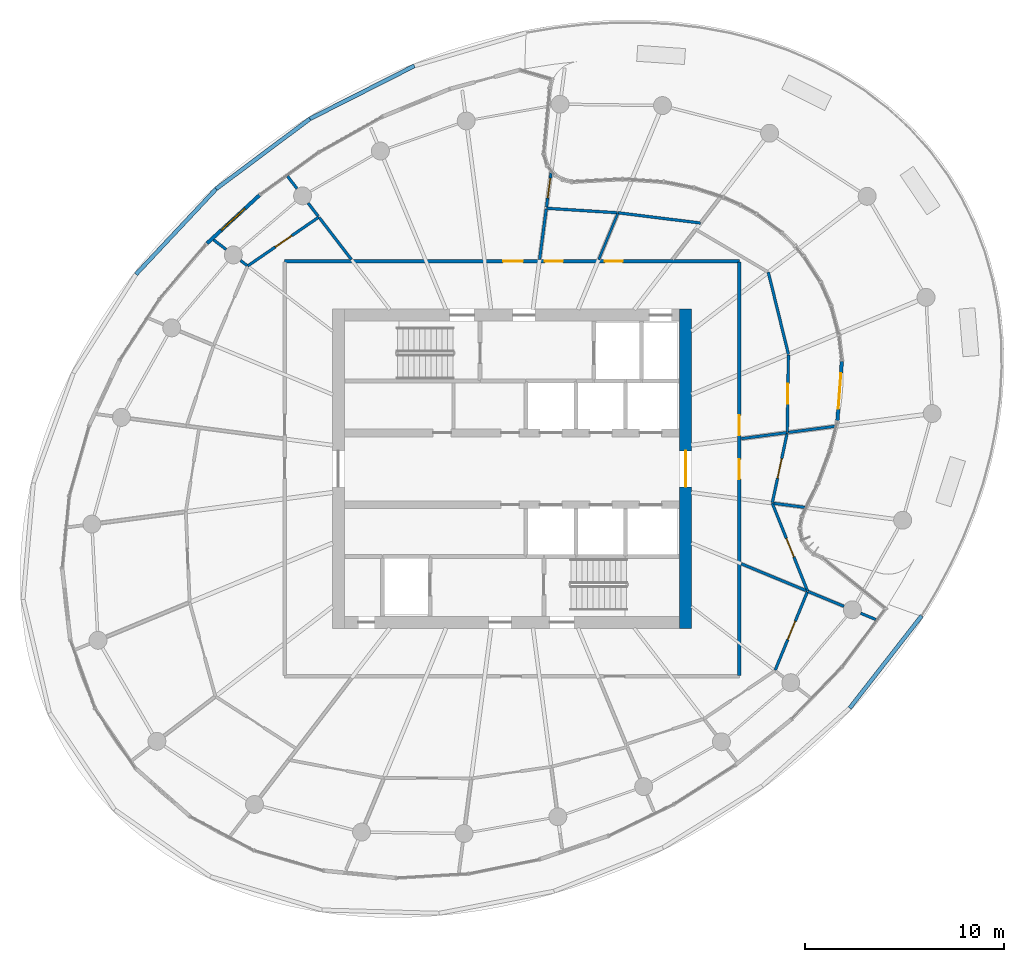
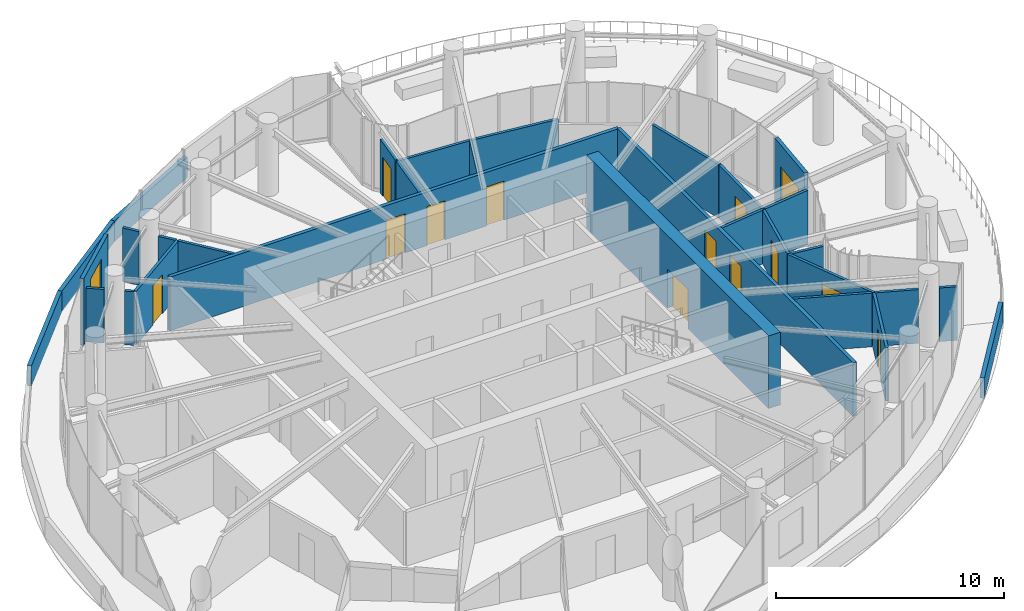
# One storey, part 14 of 19: 31 walls, 13 doors, 1 window, 14 openings.
"""IFC4 building model written with IfcOpenShell, lengths in metres."""

from ifc_helpers import new_model, si_unit, direction, frame, frame_2d, origin, place, context, subcontext, project, spatial, rectangle, extrude, source, transform, mapped, material, layer, layer_set, type_object, element, fill, save


model = new_model("IFC4")

# Units and contexts
model_context = context("Model", 3, precision=1e-05, world=origin(), true_north=direction((0.0, 1.0)))
body_context = subcontext(model_context, "Body", "Model", "MODEL_VIEW")
ifc_project = project(units=[si_unit("LENGTHUNIT", "METRE"), si_unit("AREAUNIT", "SQUARE_METRE"), si_unit("VOLUMEUNIT", "CUBIC_METRE"), si_unit("PLANEANGLEUNIT", "RADIAN"), si_unit("MASSUNIT", "GRAM", prefix="KILO")], contexts=[model_context])

# Site, building, storey
site_placement = place(None, origin())
site = spatial("IfcSite", under=ifc_project, at=site_placement, CompositionType="ELEMENT")
building_placement = place(site_placement, origin())
building = spatial("IfcBuilding", under=site, at=building_placement, Name="Spindrift Exchange Tower", CompositionType="ELEMENT")
storey_placement = place(building_placement, frame((0.0, 0.0, 183.800048828125)))
storey = spatial("IfcBuildingStorey", under=building, at=storey_placement, Name="L44", CompositionType="ELEMENT", Elevation=183.800048828125)

# Walls
ifc_material_1 = material(Name="Concrete 40 MPa", Category="concrete")
ifc_layer_1 = layer(ifc_material_1, 0.199951171875)
ifc_layer_set_1 = layer_set([ifc_layer_1], Name="LEDGE PARAPET 1100")
wall_type_1 = type_object("IfcWallType", Name="LEDGE PARAPET 1100", PredefinedType="PARAPET", material=ifc_layer_set_1)
wall_1_placement = place(storey_placement, frame((72.53369140625, 40.6318359375, 0.0), z_axis=(0.0, 0.0, 1.0), x_axis=(-0.615037489788, -0.788497866931, 0.0)))
element("IfcWall", 1, at=wall_1_placement, inside=storey, type_object=wall_type_1, Name="L44 Ledge Parapet 1", PredefinedType="PARAPET", context=body_context, shape_type="SweptSolid", body=[
    extrude(rectangle(XDim=5.86767578125, YDim=0.199951171875, at=frame_2d((2.933837890625, 0.0))), origin(), (0.0, 0.0, 1.0), 1.099853515625),
])
wall_2_placement = place(storey_placement, frame((33.151123046875, 57.752685546875, 0.0), z_axis=(0.0, 0.0, 1.0), x_axis=(0.684414246662, 0.729093367797, 0.0)))
element("IfcWall", 2, at=wall_2_placement, inside=storey, type_object=wall_type_1, Name="L44 Ledge Parapet 14", PredefinedType="PARAPET", context=body_context, shape_type="SweptSolid", body=[
    extrude(rectangle(XDim=5.86865234375, YDim=0.199951171875, at=frame_2d((2.934326171875, 0.0))), origin(), (0.0, 0.0, 1.0), 1.099853515625),
])
wall_3_placement = place(storey_placement, frame((37.167724609375, 62.031494140625, 0.0), z_axis=(0.0, 0.0, 1.0), x_axis=(0.80092247394, 0.598768060886, 0.0)))
element("IfcWall", 3, at=wall_3_placement, inside=storey, type_object=wall_type_1, Name="L44 Ledge Parapet 15", PredefinedType="PARAPET", context=body_context, shape_type="SweptSolid", body=[
    extrude(rectangle(XDim=5.869384765625, YDim=0.199951171875, at=frame_2d((2.9345703125, 0.0))), origin(), (0.0, 0.0, 1.0), 1.099853515625),
])
wall_4_placement = place(storey_placement, frame((41.86865234375, 65.5458984375, 0.0), z_axis=(0.0, 0.0, 1.0), x_axis=(0.89196778564, 0.452098959721, 0.0)))
element("IfcWall", 4, at=wall_4_placement, inside=storey, type_object=wall_type_1, Name="L44 Ledge Parapet 16", PredefinedType="PARAPET", context=body_context, shape_type="SweptSolid", body=[
    extrude(rectangle(XDim=5.868896484375, YDim=0.199951171875, at=frame_2d((2.9345703125, 0.0))), origin(), (0.0, 0.0, 1.0), 1.099853515625),
])

# Wall, opening, door
ifc_material_2 = material(Name="Concrete 50 MPa", Category="concrete")
ifc_layer_2 = layer(ifc_material_2, 0.60009765625)
ifc_layer_set_2 = layer_set([ifc_layer_2], Name="RC Core Wall 600 Concrete 50 MPa")
wall_type_2 = type_object("IfcWallType", Name="RC Core Wall 600 Concrete 50 MPa", PredefinedType="SHEAR", material=ifc_layer_set_2)
wall_5_placement = place(storey_placement, frame((60.699951171875, 40.0, 0.0), z_axis=(0.0, 0.0, 1.0), x_axis=(0.0, 1.0, 0.0)))
wall_5 = element("IfcWall", 5, at=wall_5_placement, inside=storey, type_object=wall_type_2, Name="Core wall E L44", PredefinedType="SHEAR", context=body_context, shape_type="SweptSolid", body=[
    extrude(rectangle(XDim=16.0, YDim=0.60009765625, at=frame_2d((8.0, 0.0))), origin(), (0.0, 0.0, 1.0), 3.89990234375),
])
opening_1_placement = place(wall_5_placement, frame((7.10009765625, 0.0, 0.0)))
opening_1 = element("IfcOpeningElement", 6, at=opening_1_placement, cuts=wall_5, Name="Opening L44-D2", PredefinedType="OPENING", context=body_context, shape_type="SweptSolid", body=[
    extrude(rectangle(XDim=1.800048828125, YDim=2.10009765625, at=frame_2d((0.89990234375, 1.050048828125))), frame((0.0, 0.31005859375, 0.0), z_axis=(0.0, -1.0, 0.0), x_axis=(1.0, 0.0, 0.0)), (0.0, 0.0, 1.0), 0.6201171875),
])
ifc_material_3 = material(Name="Timber-core fire door", Category="wood")
door_type_1 = type_object("IfcDoorType", Name="DR-LOBBY-1800", OperationType="NOTDEFINED", PredefinedType="DOOR", material=ifc_material_3)
shared_shape_1 = source(origin(), body_context, "Body", "SweptSolid", [
    extrude(rectangle(XDim=1.800048828125, YDim=2.10009765625, at=frame_2d((0.89990234375, 1.050048828125))), frame((0.0, 0.02490234375, 0.0), z_axis=(0.0, -1.0, 0.0), x_axis=(1.0, 0.0, 0.0)), (0.0, 0.0, 1.0), 0.050048828125),
])
door_1_placement = place(opening_1_placement, origin())
door_1 = element("IfcDoor", 7, at=door_1_placement, inside=storey, type_object=door_type_1, Name="L44 Lobby door 2", OperationType="SINGLE_SWING_RIGHT", OverallHeight=2.10009765625, OverallWidth=1.800048828125, PredefinedType="DOOR", context=body_context, shape_type="MappedRepresentation", body=[
    mapped(shared_shape_1, transform((0.0, 0.0, 0.0), scale=1.0)),
])
fill(opening_1, door_1)

# Wall, opening, window
ifc_material_4 = material(Name="Bronze anodised aluminium frame with fritted laminated glass spandrel", Category="aluminium")
ifc_layer_3 = layer(ifc_material_4, 0.179931640625)
ifc_layer_set_3 = layer_set([ifc_layer_3], Name="UNITISED FRAME WALL")
wall_type_3 = type_object("IfcWallType", Name="UNITISED FRAME WALL", PredefinedType="STANDARD", material=ifc_layer_set_3)
wall_6_placement = place(storey_placement, frame((39.343017578125, 61.72021484375, 0.0), z_axis=(0.0, 0.0, 1.0), x_axis=(-0.736559026804, -0.67637326975, 0.0)))
wall_6 = element("IfcWall", 8, at=wall_6_placement, inside=storey, type_object=wall_type_3, Name="L44 Frame Wall 5", PredefinedType="STANDARD", context=body_context, shape_type="SweptSolid", body=[
    extrude(rectangle(XDim=3.577880859375, YDim=0.179931640625, at=frame_2d((1.7890625, 0.0))), origin(), (0.0, 0.0, 1.0), 3.579833984375),
])
opening_2_placement = place(wall_6_placement, frame((0.989013671875, 0.0, 0.89990234375)))
opening_2 = element("IfcOpeningElement", 9, at=opening_2_placement, cuts=wall_6, Name="Opening WV44-02", PredefinedType="OPENING", context=body_context, shape_type="SweptSolid", body=[
    extrude(rectangle(XDim=1.60009765625, YDim=2.0, at=frame_2d((0.800048828125, 1.0))), frame((0.0, 0.099853515625, 0.0), z_axis=(0.0, -1.0, 0.0), x_axis=(1.0, 0.0, 0.0)), (0.0, 0.0, 1.0), 0.199951171875),
])
ifc_material_5 = material(Name="Clear laminated low-iron glass in bronze frame", Category="glass")
window_type = type_object("IfcWindowType", Name="OPERABLE CLEAR VENT 1600X2000", PartitioningType="SINGLE_PANEL", PredefinedType="WINDOW", material=ifc_material_5)
shared_shape_2 = source(origin(), body_context, "Body", "SweptSolid", [
    extrude(rectangle(XDim=1.60009765625, YDim=2.0, at=frame_2d((0.800048828125, 1.0))), frame((0.0, 0.030029296875, 0.0), z_axis=(0.0, -1.0, 0.0), x_axis=(1.0, 0.0, 0.0)), (0.0, 0.0, 1.0), 0.06005859375),
])
window_placement = place(opening_2_placement, origin())
window = element("IfcWindow", 10, at=window_placement, inside=storey, type_object=window_type, Name="L44 Operable Vent WV44-02", OverallHeight=2.0, OverallWidth=1.60009765625, PartitioningType="SINGLE_PANEL", PredefinedType="WINDOW", context=body_context, shape_type="MappedRepresentation", body=[
    mapped(shared_shape_2, transform((0.0, 0.0, 0.0), scale=1.0)),
])
fill(opening_2, window)

# Wall, opening, door
wall_7_placement = place(storey_placement, frame((68.310791015625, 50.41162109375, 0.0), z_axis=(0.0, 0.0, 1.0), x_axis=(0.074271967477, 0.997238023166, 0.0)))
wall_7 = element("IfcWall", 11, at=wall_7_placement, inside=storey, type_object=wall_type_3, Name="L44 Frame Wall 35", PredefinedType="STANDARD", context=body_context, shape_type="SweptSolid", body=[
    extrude(rectangle(XDim=2.988037109375, YDim=0.179931640625, at=frame_2d((1.494140625, 0.0))), origin(), (0.0, 0.0, 1.0), 3.579833984375),
])
opening_3_placement = place(wall_7_placement, frame((0.593994140625, 0.0, 0.0)))
opening_3 = element("IfcOpeningElement", 12, at=opening_3_placement, cuts=wall_7, Name="Opening ED44-1", PredefinedType="OPENING", context=body_context, shape_type="SweptSolid", body=[
    extrude(rectangle(XDim=1.800048828125, YDim=2.39990234375, at=frame_2d((0.89990234375, 1.199951171875))), frame((0.0, 0.099853515625, 0.0), z_axis=(0.0, -1.0, 0.0), x_axis=(1.0, 0.0, 0.0)), (0.0, 0.0, 1.0), 0.199951171875),
])
ifc_material_6 = material(Name="Toughened laminated glass in bronze frame", Category="glass")
door_type_2 = type_object("IfcDoorType", Name="TERRACE GLASS DOOR 1800X2400", OperationType="DOUBLE_DOOR_SINGLE_SWING", PredefinedType="DOOR", material=ifc_material_6)
shared_shape_3 = source(origin(), body_context, "Body", "SweptSolid", [
    extrude(rectangle(XDim=1.800048828125, YDim=2.39990234375, at=frame_2d((0.89990234375, 1.199951171875))), frame((0.0, 0.02490234375, 0.0), z_axis=(0.0, -1.0, 0.0), x_axis=(1.0, 0.0, 0.0)), (0.0, 0.0, 1.0), 0.050048828125),
])
door_2_placement = place(opening_3_placement, origin())
door_2 = element("IfcDoor", 13, at=door_2_placement, inside=storey, type_object=door_type_2, Name="L44 Terrace Glass Door ED44-1", OperationType="DOUBLE_DOOR_SINGLE_SWING", OverallHeight=2.39990234375, OverallWidth=1.800048828125, PredefinedType="DOOR", context=body_context, shape_type="MappedRepresentation", body=[
    mapped(shared_shape_3, transform((0.0, 0.0, 0.0), scale=1.0)),
])
fill(opening_3, door_2)

# Wall, openings, doors
ifc_material_7 = material(Name="Fire-rated plasterboard partition", Category="gypsum")
ifc_layer_4 = layer(ifc_material_7, 0.179931640625)
ifc_layer_set_4 = layer_set([ifc_layer_4], Name="W-CORR-180")
wall_type_4 = type_object("IfcWallType", Name="W-CORR-180", PredefinedType="PARTITIONING", material=ifc_layer_set_4)
wall_8_placement = place(storey_placement, frame((40.60009765625, 58.39990234375, 0.0), z_axis=(0.0, 0.0, 1.0), x_axis=(1.0, 0.0, 0.0)))
wall_8 = element("IfcWall", 14, at=wall_8_placement, inside=storey, type_object=wall_type_4, Name="L44 Partition wall 27", PredefinedType="PARTITIONING", context=body_context, shape_type="SweptSolid", body=[
    extrude(rectangle(XDim=22.7998046875, YDim=0.179931640625, at=frame_2d((11.39990234375, 0.0))), origin(), (0.0, 0.0, 1.0), 2.8798828125),
])
opening_4_placement = place(wall_8_placement, frame((16.050048828125, 0.0, 0.0)))
opening_4 = element("IfcOpeningElement", 15, at=opening_4_placement, cuts=wall_8, Name="Opening L44-D21", PredefinedType="OPENING", context=body_context, shape_type="SweptSolid", body=[
    extrude(rectangle(XDim=0.89990234375, YDim=2.10009765625, at=frame_2d((0.449951171875, 1.050048828125))), frame((0.0, 0.099853515625, 0.0), z_axis=(0.0, -1.0, 0.0), x_axis=(1.0, 0.0, 0.0)), (0.0, 0.0, 1.0), 0.199951171875),
])
opening_5_placement = place(wall_8_placement, frame((13.050048828125, 0.0, 0.0)))
opening_5 = element("IfcOpeningElement", 16, at=opening_5_placement, cuts=wall_8, Name="Opening L44-D22", PredefinedType="OPENING", context=body_context, shape_type="SweptSolid", body=[
    extrude(rectangle(XDim=0.89990234375, YDim=2.10009765625, at=frame_2d((0.449951171875, 1.050048828125))), frame((0.0, 0.099853515625, 0.0), z_axis=(0.0, -1.0, 0.0), x_axis=(1.0, 0.0, 0.0)), (0.0, 0.0, 1.0), 0.199951171875),
])
opening_6_placement = place(wall_8_placement, frame((10.949951171875, 0.0, 0.0)))
opening_6 = element("IfcOpeningElement", 17, at=opening_6_placement, cuts=wall_8, Name="Opening L44-D23", PredefinedType="OPENING", context=body_context, shape_type="SweptSolid", body=[
    extrude(rectangle(XDim=1.0, YDim=2.10009765625, at=frame_2d((0.5, 1.050048828125))), frame((0.0, 0.099853515625, 0.0), z_axis=(0.0, -1.0, 0.0), x_axis=(1.0, 0.0, 0.0)), (0.0, 0.0, 1.0), 0.199951171875),
])
door_type_3 = type_object("IfcDoorType", Name="DR-ROOM-1000", OperationType="NOTDEFINED", PredefinedType="DOOR", material=ifc_material_3)
shared_shape_4 = source(origin(), body_context, "Body", "SweptSolid", [
    extrude(rectangle(XDim=1.0, YDim=2.10009765625, at=frame_2d((0.5, 1.050048828125))), frame((0.0, 0.02490234375, 0.0), z_axis=(0.0, -1.0, 0.0), x_axis=(1.0, 0.0, 0.0)), (0.0, 0.0, 1.0), 0.050048828125),
])
door_3_placement = place(opening_6_placement, origin())
door_3 = element("IfcDoor", 18, at=door_3_placement, inside=storey, type_object=door_type_3, Name="L44 Door 23", OperationType="SINGLE_SWING_RIGHT", OverallHeight=2.10009765625, OverallWidth=1.0, PredefinedType="DOOR", context=body_context, shape_type="MappedRepresentation", body=[
    mapped(shared_shape_4, transform((0.0, 0.0, 0.0), scale=1.0)),
])
fill(opening_6, door_3)
ifc_material_8 = material(Name="Laminate washroom door", Category="wood")
door_type_4 = type_object("IfcDoorType", Name="DR-WC-900", OperationType="NOTDEFINED", PredefinedType="DOOR", material=ifc_material_8)
shared_shape_5 = source(origin(), body_context, "Body", "SweptSolid", [
    extrude(rectangle(XDim=0.89990234375, YDim=2.10009765625, at=frame_2d((0.449951171875, 1.050048828125))), frame((0.0, 0.02490234375, 0.0), z_axis=(0.0, -1.0, 0.0), x_axis=(1.0, 0.0, 0.0)), (0.0, 0.0, 1.0), 0.050048828125),
])
door_4_placement = place(opening_4_placement, origin())
door_4 = element("IfcDoor", 19, at=door_4_placement, inside=storey, type_object=door_type_4, Name="L44 WC door 21", OperationType="SINGLE_SWING_RIGHT", OverallHeight=2.10009765625, OverallWidth=0.89990234375, PredefinedType="DOOR", context=body_context, shape_type="MappedRepresentation", body=[
    mapped(shared_shape_5, transform((0.0, 0.0, 0.0), scale=1.0)),
])
fill(opening_4, door_4)
door_5_placement = place(opening_5_placement, origin())
door_5 = element("IfcDoor", 20, at=door_5_placement, inside=storey, type_object=door_type_4, Name="L44 WC door 22", OperationType="SINGLE_SWING_LEFT", OverallHeight=2.10009765625, OverallWidth=0.89990234375, PredefinedType="DOOR", context=body_context, shape_type="MappedRepresentation", body=[
    mapped(shared_shape_5, transform((0.0, 0.0, 0.0), scale=1.0)),
])
fill(opening_5, door_5)

wall_9_placement = place(storey_placement, frame((63.39990234375, 58.3701171875, 0.0), z_axis=(0.0, 0.0, 1.0), x_axis=(0.0, -1.0, 0.0)))
wall_9 = element("IfcWall", 21, at=wall_9_placement, inside=storey, type_object=wall_type_4, Name="L44 Partition wall 29", PredefinedType="PARTITIONING", context=body_context, shape_type="SweptSolid", body=[
    extrude(rectangle(XDim=20.740234375, YDim=0.179931640625, at=frame_2d((10.3701171875, 0.0))), origin(), (0.0, 0.0, 1.0), 2.8798828125),
])
opening_7_placement = place(wall_9_placement, frame((7.68994140625, 0.0, 0.0)))
opening_7 = element("IfcOpeningElement", 22, at=opening_7_placement, cuts=wall_9, Name="Opening L44-D19", PredefinedType="OPENING", context=body_context, shape_type="SweptSolid", body=[
    extrude(rectangle(XDim=1.0, YDim=2.10009765625, at=frame_2d((0.5, 1.050048828125))), frame((0.0, 0.099853515625, 0.0), z_axis=(0.0, -1.0, 0.0), x_axis=(1.0, 0.0, 0.0)), (0.0, 0.0, 1.0), 0.199951171875),
])
opening_8_placement = place(wall_9_placement, frame((9.889892578125, 0.0, 0.0)))
opening_8 = element("IfcOpeningElement", 23, at=opening_8_placement, cuts=wall_9, Name="Opening L44-D43", PredefinedType="OPENING", context=body_context, shape_type="SweptSolid", body=[
    extrude(rectangle(XDim=1.0, YDim=2.10009765625, at=frame_2d((0.5, 1.050048828125))), frame((0.0, 0.099853515625, 0.0), z_axis=(0.0, -1.0, 0.0), x_axis=(1.0, 0.0, 0.0)), (0.0, 0.0, 1.0), 0.199951171875),
])
door_6_placement = place(opening_7_placement, origin())
door_6 = element("IfcDoor", 24, at=door_6_placement, inside=storey, type_object=door_type_3, Name="L44 Door 19", OperationType="SINGLE_SWING_RIGHT", OverallHeight=2.10009765625, OverallWidth=1.0, PredefinedType="DOOR", context=body_context, shape_type="MappedRepresentation", body=[
    mapped(shared_shape_4, transform((0.0, 0.0, 0.0), scale=1.0)),
])
fill(opening_7, door_6)
door_7_placement = place(opening_8_placement, origin())
door_7 = element("IfcDoor", 25, at=door_7_placement, inside=storey, type_object=door_type_3, Name="L44 Door 43", OperationType="SINGLE_SWING_RIGHT", OverallHeight=2.10009765625, OverallWidth=1.0, PredefinedType="DOOR", context=body_context, shape_type="MappedRepresentation", body=[
    mapped(shared_shape_4, transform((0.0, 0.0, 0.0), scale=1.0)),
])
fill(opening_8, door_7)

# Wall, opening, door
ifc_layer_5 = layer(ifc_material_7, 0.139892578125)
ifc_layer_set_5 = layer_set([ifc_layer_5], Name="W-PART-140")
wall_type_5 = type_object("IfcWallType", Name="W-PART-140", PredefinedType="PARTITIONING", material=ifc_layer_set_5)
wall_10_placement = place(storey_placement, frame((65.044189453125, 46.28271484375, 0.0), z_axis=(0.0, 0.0, 1.0), x_axis=(0.372115410521, -0.92818646901, 0.0)))
wall_10 = element("IfcWall", 26, at=wall_10_placement, inside=storey, type_object=wall_type_5, Name="L44 Partition wall 36", PredefinedType="PARTITIONING", context=body_context, shape_type="SweptSolid", body=[
    extrude(rectangle(XDim=4.761962890625, YDim=0.139892578125, at=frame_2d((2.380859375, 0.0))), origin(), (0.0, 0.0, 1.0), 2.8798828125),
])
opening_9_placement = place(wall_10_placement, frame((1.91162109375, 0.0, 0.0)))
opening_9 = element("IfcOpeningElement", 27, at=opening_9_placement, cuts=wall_10, Name="Opening L44-D44", PredefinedType="OPENING", context=body_context, shape_type="SweptSolid", body=[
    extrude(rectangle(XDim=1.0, YDim=2.10009765625, at=frame_2d((0.5, 1.050048828125))), frame((0.0, 0.079833984375, 0.0), z_axis=(0.0, -1.0, 0.0), x_axis=(1.0, 0.0, 0.0)), (0.0, 0.0, 1.0), 0.159912109375),
])
door_8_placement = place(opening_9_placement, origin())
door_8 = element("IfcDoor", 28, at=door_8_placement, inside=storey, type_object=door_type_3, Name="L44 Door 44", OperationType="SINGLE_SWING_LEFT", OverallHeight=2.10009765625, OverallWidth=1.0, PredefinedType="DOOR", context=body_context, shape_type="MappedRepresentation", body=[
    mapped(shared_shape_4, transform((0.0, 0.0, 0.0), scale=1.0)),
])
fill(opening_9, door_8)

wall_11_placement = place(storey_placement, frame((38.747314453125, 58.169189453125, 0.0), z_axis=(0.0, 0.0, 1.0), x_axis=(0.824531922814, 0.565815436569, 0.0)))
wall_11 = element("IfcWall", 29, at=wall_11_placement, inside=storey, type_object=wall_type_5, Name="L44 Partition wall 40", PredefinedType="PARTITIONING", context=body_context, shape_type="SweptSolid", body=[
    extrude(rectangle(XDim=4.32958984375, YDim=0.139892578125, at=frame_2d((2.164794921875, 0.0))), origin(), (0.0, 0.0, 1.0), 2.8798828125),
])
opening_10_placement = place(wall_11_placement, frame((1.6796875, 0.0, 0.0)))
opening_10 = element("IfcOpeningElement", 30, at=opening_10_placement, cuts=wall_11, Name="Opening L44-D26", PredefinedType="OPENING", context=body_context, shape_type="SweptSolid", body=[
    extrude(rectangle(XDim=1.0, YDim=2.10009765625, at=frame_2d((0.5, 1.050048828125))), frame((0.0, 0.079833984375, 0.0), z_axis=(0.0, -1.0, 0.0), x_axis=(1.0, 0.0, 0.0)), (0.0, 0.0, 1.0), 0.159912109375),
])
door_9_placement = place(opening_10_placement, origin())
door_9 = element("IfcDoor", 31, at=door_9_placement, inside=storey, type_object=door_type_3, Name="L44 Door 26", OperationType="SINGLE_SWING_LEFT", OverallHeight=2.10009765625, OverallWidth=1.0, PredefinedType="DOOR", context=body_context, shape_type="MappedRepresentation", body=[
    mapped(shared_shape_4, transform((0.0, 0.0, 0.0), scale=1.0)),
])
fill(opening_10, door_9)

wall_12_placement = place(storey_placement, frame((66.8046875, 41.835205078125, 0.0), z_axis=(0.0, 0.0, 1.0), x_axis=(-0.380060488543, -0.924961634366, 0.0)))
wall_12 = element("IfcWall", 32, at=wall_12_placement, inside=storey, type_object=wall_type_5, Name="L44 Partition wall 43", PredefinedType="PARTITIONING", context=body_context, shape_type="SweptSolid", body=[
    extrude(rectangle(XDim=4.240234375, YDim=0.139892578125, at=frame_2d((2.1201171875, 0.0))), origin(), (0.0, 0.0, 1.0), 2.8798828125),
])
opening_11_placement = place(wall_12_placement, frame((1.59033203125, 0.0, 0.0)))
opening_11 = element("IfcOpeningElement", 33, at=opening_11_placement, cuts=wall_12, Name="Opening L44-D42", PredefinedType="OPENING", context=body_context, shape_type="SweptSolid", body=[
    extrude(rectangle(XDim=1.0, YDim=2.10009765625, at=frame_2d((0.5, 1.050048828125))), frame((0.0, 0.079833984375, 0.0), z_axis=(0.0, -1.0, 0.0), x_axis=(1.0, 0.0, 0.0)), (0.0, 0.0, 1.0), 0.159912109375),
])
door_10_placement = place(opening_11_placement, origin())
door_10 = element("IfcDoor", 34, at=door_10_placement, inside=storey, type_object=door_type_3, Name="L44 Door 42", OperationType="SINGLE_SWING_LEFT", OverallHeight=2.10009765625, OverallWidth=1.0, PredefinedType="DOOR", context=body_context, shape_type="MappedRepresentation", body=[
    mapped(shared_shape_4, transform((0.0, 0.0, 0.0), scale=1.0)),
])
fill(opening_11, door_10)

# Walls
wall_13_placement = place(storey_placement, frame((65.855712890625, 53.7392578125, 0.0), z_axis=(0.0, 0.0, 1.0), x_axis=(-0.23822460229, 0.971210089972, 0.0)))
element("IfcWall", 35, at=wall_13_placement, inside=storey, type_object=wall_type_5, Name="L44 Partition wall 47", PredefinedType="PARTITIONING", context=body_context, shape_type="SweptSolid", body=[
    extrude(rectangle(XDim=4.23974609375, YDim=0.139892578125, at=frame_2d((2.119873046875, 0.0))), origin(), (0.0, 0.0, 1.0), 2.8798828125),
])
wall_14_placement = place(storey_placement, frame((61.453857421875, 60.320556640625, 0.0), z_axis=(0.0, 0.0, 1.0), x_axis=(-0.99239722015, 0.123076226135, 0.0)))
element("IfcWall", 36, at=wall_14_placement, inside=storey, type_object=wall_type_5, Name="L44 Partition wall 49", PredefinedType="PARTITIONING", context=body_context, shape_type="SweptSolid", body=[
    extrude(rectangle(XDim=4.169677734375, YDim=0.139892578125, at=frame_2d((2.0849609375, 0.0))), origin(), (0.0, 0.0, 1.0), 2.8798828125),
])

# Wall, opening, door
wall_15_placement = place(storey_placement, frame((65.855224609375, 53.709228515625, 0.0), z_axis=(0.0, 0.0, 1.0), x_axis=(-0.014924646714, -0.999888621258, 0.0)))
wall_15 = element("IfcWall", 37, at=wall_15_placement, inside=storey, type_object=wall_type_5, Name="L44 Partition wall 53", PredefinedType="PARTITIONING", context=body_context, shape_type="SweptSolid", body=[
    extrude(rectangle(XDim=3.893310546875, YDim=0.139892578125, at=frame_2d((1.94677734375, 0.0))), origin(), (0.0, 0.0, 1.0), 2.8798828125),
])
opening_12_placement = place(wall_15_placement, frame((1.443115234375, 0.0, 0.0)))
opening_12 = element("IfcOpeningElement", 38, at=opening_12_placement, cuts=wall_15, Name="Opening L44-D20", PredefinedType="OPENING", context=body_context, shape_type="SweptSolid", body=[
    extrude(rectangle(XDim=1.0, YDim=2.10009765625, at=frame_2d((0.5, 1.050048828125))), frame((0.0, 0.079833984375, 0.0), z_axis=(0.0, -1.0, 0.0), x_axis=(1.0, 0.0, 0.0)), (0.0, 0.0, 1.0), 0.159912109375),
])
door_11_placement = place(opening_12_placement, origin())
door_11 = element("IfcDoor", 39, at=door_11_placement, inside=storey, type_object=door_type_3, Name="L44 Door 20", OperationType="SINGLE_SWING_LEFT", OverallHeight=2.10009765625, OverallWidth=1.0, PredefinedType="DOOR", context=body_context, shape_type="MappedRepresentation", body=[
    mapped(shared_shape_4, transform((0.0, 0.0, 0.0), scale=1.0)),
])
fill(opening_12, door_11)

# Walls
wall_16_placement = place(storey_placement, frame((63.489990234375, 43.24072265625, 0.0), z_axis=(0.0, 0.0, 1.0), x_axis=(0.92386899199, -0.382708878444, 0.0)))
element("IfcWall", 40, at=wall_16_placement, inside=storey, type_object=wall_type_5, Name="L44 Partition wall 55", PredefinedType="PARTITIONING", context=body_context, shape_type="SweptSolid", body=[
    extrude(rectangle(XDim=3.502197265625, YDim=0.139892578125, at=frame_2d((1.7509765625, 0.0))), origin(), (0.0, 0.0, 1.0), 2.8798828125),
])
wall_17_placement = place(storey_placement, frame((41.77734375, 61.322509765625, 0.0), z_axis=(0.0, 0.0, 1.0), x_axis=(0.608670009796, -0.793423480353, 0.0)))
element("IfcWall", 41, at=wall_17_placement, inside=storey, type_object=wall_type_5, Name="L44 Partition wall 56", PredefinedType="PARTITIONING", context=body_context, shape_type="SweptSolid", body=[
    extrude(rectangle(XDim=0.816650390625, YDim=0.139892578125, at=frame_2d((0.408203125, 0.0))), origin(), (0.0, 0.0, 1.0), 2.8798828125),
])
wall_18_placement = place(storey_placement, frame((42.33544921875, 60.59521484375, 0.0), z_axis=(0.0, 0.0, 1.0), x_axis=(0.608723171591, -0.793382694775, 0.0)))
element("IfcWall", 42, at=wall_18_placement, inside=storey, type_object=wall_type_5, Name="L44 Partition wall 57", PredefinedType="PARTITIONING", context=body_context, shape_type="SweptSolid", body=[
    extrude(rectangle(XDim=2.653564453125, YDim=0.139892578125, at=frame_2d((1.32666015625, 0.0))), origin(), (0.0, 0.0, 1.0), 2.8798828125),
])

# Wall, opening, door
wall_19_placement = place(storey_placement, frame((65.791015625, 49.787109375, 0.0), z_axis=(0.0, 0.0, 1.0), x_axis=(-0.20840274736, -0.978043094599, 0.0)))
wall_19 = element("IfcWall", 43, at=wall_19_placement, inside=storey, type_object=wall_type_5, Name="L44 Partition wall 58", PredefinedType="PARTITIONING", context=body_context, shape_type="SweptSolid", body=[
    extrude(rectangle(XDim=3.55322265625, YDim=0.139892578125, at=frame_2d((1.776611328125, 0.0))), origin(), (0.0, 0.0, 1.0), 2.8798828125),
])
opening_13_placement = place(wall_19_placement, frame((1.302978515625, 0.0, 0.0)))
opening_13 = element("IfcOpeningElement", 44, at=opening_13_placement, cuts=wall_19, Name="Opening L44-D45", PredefinedType="OPENING", context=body_context, shape_type="SweptSolid", body=[
    extrude(rectangle(XDim=1.0, YDim=2.10009765625, at=frame_2d((0.5, 1.050048828125))), frame((0.0, 0.079833984375, 0.0), z_axis=(0.0, -1.0, 0.0), x_axis=(1.0, 0.0, 0.0)), (0.0, 0.0, 1.0), 0.159912109375),
])
door_12_placement = place(opening_13_placement, origin())
door_12 = element("IfcDoor", 45, at=door_12_placement, inside=storey, type_object=door_type_3, Name="L44 Door 45", OperationType="SINGLE_SWING_RIGHT", OverallHeight=2.10009765625, OverallWidth=1.0, PredefinedType="DOOR", context=body_context, shape_type="MappedRepresentation", body=[
    mapped(shared_shape_4, transform((0.0, 0.0, 0.0), scale=1.0)),
])
fill(opening_13, door_12)

# Walls
wall_20_placement = place(storey_placement, frame((57.285888671875, 60.835693359375, 0.0), z_axis=(0.0, 0.0, 1.0), x_axis=(-0.997992577904, 0.063330991218, 0.0)))
element("IfcWall", 46, at=wall_20_placement, inside=storey, type_object=wall_type_5, Name="L44 Partition wall 59", PredefinedType="PARTITIONING", context=body_context, shape_type="SweptSolid", body=[
    extrude(rectangle(XDim=3.573486328125, YDim=0.139892578125, at=frame_2d((1.78662109375, 0.0))), origin(), (0.0, 0.0, 1.0), 2.8798828125),
])
wall_21_placement = place(storey_placement, frame((53.381103515625, 58.489990234375, 0.0), z_axis=(0.0, 0.0, 1.0), x_axis=(0.130535789174, 0.991443597864, 0.0)))
element("IfcWall", 47, at=wall_21_placement, inside=storey, type_object=wall_type_5, Name="L44 Partition wall 63", PredefinedType="PARTITIONING", context=body_context, shape_type="SweptSolid", body=[
    extrude(rectangle(XDim=2.564208984375, YDim=0.139892578125, at=frame_2d((1.2822265625, 0.0))), origin(), (0.0, 0.0, 1.0), 2.8798828125),
])
wall_22_placement = place(storey_placement, frame((65.867431640625, 49.82568359375, 0.0), z_axis=(0.0, 0.0, 1.0), x_axis=(0.991441898965, 0.130548691974, 0.0)))
element("IfcWall", 48, at=wall_22_placement, inside=storey, type_object=wall_type_5, Name="L44 Partition wall 65", PredefinedType="PARTITIONING", context=body_context, shape_type="SweptSolid", body=[
    extrude(rectangle(XDim=2.346923828125, YDim=0.139892578125, at=frame_2d((1.17333984375, 0.0))), origin(), (0.0, 0.0, 1.0), 2.8798828125),
])
wall_23_placement = place(storey_placement, frame((63.489990234375, 49.5126953125, 0.0), z_axis=(0.0, 0.0, 1.0), x_axis=(0.991447421324, 0.130506745995, 0.0)))
element("IfcWall", 49, at=wall_23_placement, inside=storey, type_object=wall_type_5, Name="L44 Partition wall 66", PredefinedType="PARTITIONING", context=body_context, shape_type="SweptSolid", body=[
    extrude(rectangle(XDim=2.297119140625, YDim=0.139892578125, at=frame_2d((1.1484375, 0.0))), origin(), (0.0, 0.0, 1.0), 2.8798828125),
])
wall_24_placement = place(storey_placement, frame((66.843994140625, 41.8515625, 0.0), z_axis=(0.0, 0.0, 1.0), x_axis=(0.923848346372, -0.38275871369, 0.0)))
element("IfcWall", 50, at=wall_24_placement, inside=storey, type_object=wall_type_5, Name="L44 Partition wall 71", PredefinedType="PARTITIONING", context=body_context, shape_type="SweptSolid", body=[
    extrude(rectangle(XDim=1.94287109375, YDim=0.139892578125, at=frame_2d((0.971435546875, 0.0))), origin(), (0.0, 0.0, 1.0), 2.8798828125),
])

# Wall, opening, door
wall_25_placement = place(storey_placement, frame((53.953369140625, 62.83642578125, 0.0), z_axis=(0.0, 0.0, 1.0), x_axis=(-0.130619781296, -0.991432535644, 0.0)))
wall_25 = element("IfcWall", 51, at=wall_25_placement, inside=storey, type_object=wall_type_5, Name="L44 Partition wall 74", PredefinedType="PARTITIONING", context=body_context, shape_type="SweptSolid", body=[
    extrude(rectangle(XDim=1.719482421875, YDim=0.139892578125, at=frame_2d((0.85986328125, 0.0))), origin(), (0.0, 0.0, 1.0), 2.8798828125),
])
opening_14_placement = place(wall_25_placement, frame((0.269775390625, 0.0, 0.0)))
opening_14 = element("IfcOpeningElement", 52, at=opening_14_placement, cuts=wall_25, Name="Opening L44-D24", PredefinedType="OPENING", context=body_context, shape_type="SweptSolid", body=[
    extrude(rectangle(XDim=1.0, YDim=2.10009765625, at=frame_2d((0.5, 1.050048828125))), frame((0.0, 0.079833984375, 0.0), z_axis=(0.0, -1.0, 0.0), x_axis=(1.0, 0.0, 0.0)), (0.0, 0.0, 1.0), 0.159912109375),
])
door_13_placement = place(opening_14_placement, origin())
door_13 = element("IfcDoor", 53, at=door_13_placement, inside=storey, type_object=door_type_3, Name="L44 Door 24", OperationType="SINGLE_SWING_LEFT", OverallHeight=2.10009765625, OverallWidth=1.0, PredefinedType="DOOR", context=body_context, shape_type="MappedRepresentation", body=[
    mapped(shared_shape_4, transform((0.0, 0.0, 0.0), scale=1.0)),
])
fill(opening_14, door_13)

# Walls
wall_26_placement = place(storey_placement, frame((65.123779296875, 46.272216796875, 0.0), z_axis=(0.0, 0.0, 1.0), x_axis=(0.991440073303, -0.130562556072, 0.0)))
element("IfcWall", 54, at=wall_26_placement, inside=storey, type_object=wall_type_5, Name="L44 Partition wall 76", PredefinedType="PARTITIONING", context=body_context, shape_type="SweptSolid", body=[
    extrude(rectangle(XDim=1.578125, YDim=0.139892578125, at=frame_2d((0.7890625, 0.0))), origin(), (0.0, 0.0, 1.0), 2.8798828125),
])
wall_27_placement = place(storey_placement, frame((69.479736328125, 40.759521484375, 0.0), z_axis=(0.0, 0.0, 1.0), x_axis=(0.92398761999, -0.382422381806, 0.0)))
element("IfcWall", 55, at=wall_27_placement, inside=storey, type_object=wall_type_5, Name="L44 Partition wall 86", PredefinedType="PARTITIONING", context=body_context, shape_type="SweptSolid", body=[
    extrude(rectangle(XDim=0.814697265625, YDim=0.139892578125, at=frame_2d((0.4072265625, 0.0))), origin(), (0.0, 0.0, 1.0), 2.8798828125),
])
wall_28_placement = place(storey_placement, frame((37.66845703125, 58.9970703125, 0.0), z_axis=(0.0, 0.0, 1.0), x_axis=(-0.793364436395, 0.608746968011, 0.0)))
element("IfcWall", 56, at=wall_28_placement, inside=storey, type_object=wall_type_5, Name="L44 Partition wall 90", PredefinedType="PARTITIONING", context=body_context, shape_type="SweptSolid", body=[
    extrude(rectangle(XDim=0.796142578125, YDim=0.139892578125, at=frame_2d((0.39794921875, 0.0))), origin(), (0.0, 0.0, 1.0), 2.8798828125),
])
wall_29_placement = place(storey_placement, frame((41.22412109375, 62.043701171875, 0.0), z_axis=(0.0, 0.0, 1.0), x_axis=(-0.608959740389, 0.793201131231, 0.0)))
element("IfcWall", 57, at=wall_29_placement, inside=storey, type_object=wall_type_5, Name="L44 Partition wall 91", PredefinedType="PARTITIONING", context=body_context, shape_type="SweptSolid", body=[
    extrude(rectangle(XDim=0.785888671875, YDim=0.139892578125, at=frame_2d((0.39306640625, 0.0))), origin(), (0.0, 0.0, 1.0), 2.8798828125),
])
wall_30_placement = place(storey_placement, frame((38.723388671875, 58.1875, 0.0), z_axis=(0.0, 0.0, 1.0), x_axis=(-0.793335399531, 0.60878480915, 0.0)))
element("IfcWall", 58, at=wall_30_placement, inside=storey, type_object=wall_type_5, Name="L44 Partition wall 94", PredefinedType="PARTITIONING", context=body_context, shape_type="SweptSolid", body=[
    extrude(rectangle(XDim=0.420654296875, YDim=0.139892578125, at=frame_2d((0.21044921875, 0.0))), origin(), (0.0, 0.0, 1.0), 2.8798828125),
])
ifc_layer_6 = layer(ifc_material_7, 0.1201171875)
ifc_layer_set_6 = layer_set([ifc_layer_6], Name="W-WET-120")
wall_type_6 = type_object("IfcWallType", Name="W-WET-120", PredefinedType="PARTITIONING", material=ifc_layer_set_6)
wall_31_placement = place(storey_placement, frame((56.34521484375, 58.489990234375, 0.0), z_axis=(0.0, 0.0, 1.0), x_axis=(0.382664324241, 0.923887447124, 0.0)))
element("IfcWall", 59, at=wall_31_placement, inside=storey, type_object=wall_type_6, Name="L44 Partition wall 95", PredefinedType="PARTITIONING", context=body_context, shape_type="SweptSolid", body=[
    extrude(rectangle(XDim=2.506591796875, YDim=0.1201171875, at=frame_2d((1.25341796875, 0.0))), origin(), (0.0, 0.0, 1.0), 2.8798828125),
])

save(model, "model.ifc")
